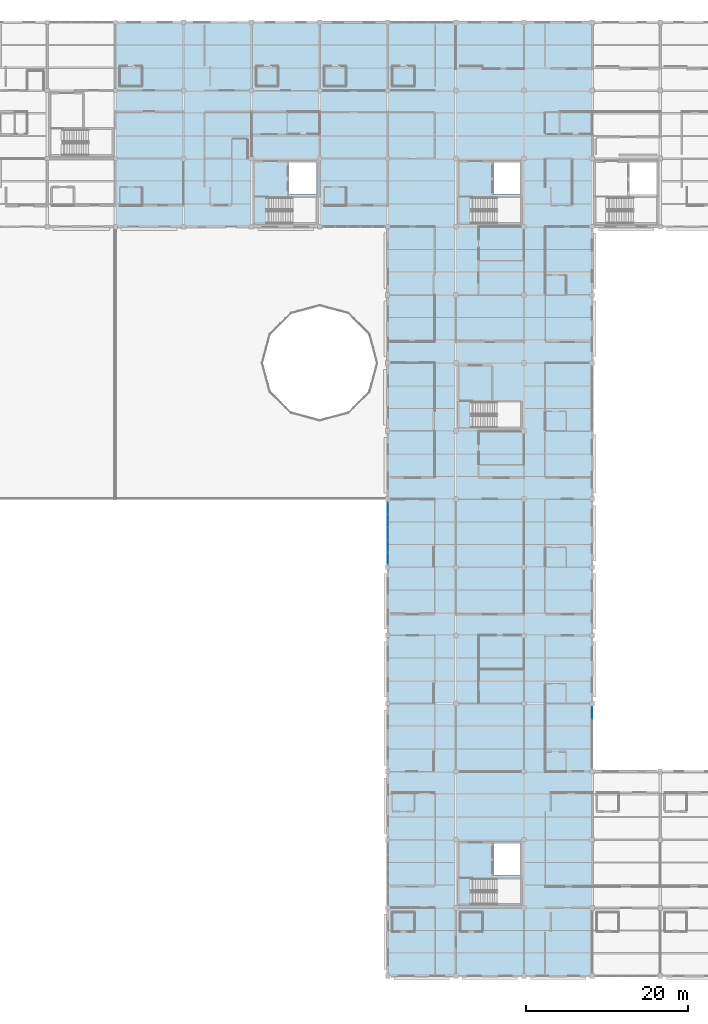
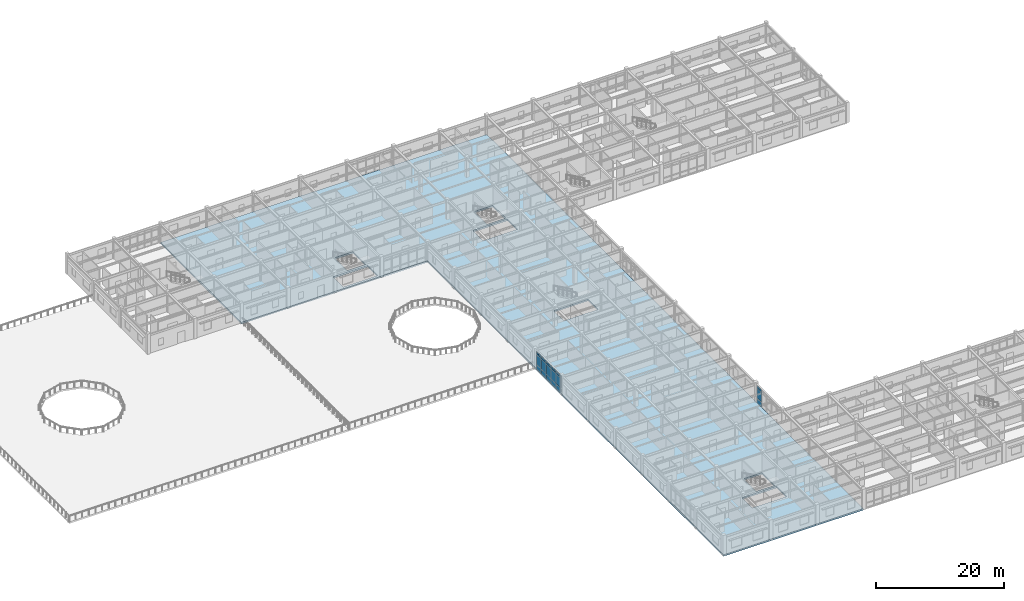
# One storey, part 45 of 86: 18 plates, 1 slab, 2 elements without a shape of their own.
"""IFC4 building model written with IfcOpenShell, lengths in metres."""

from ifc_helpers import new_model, si_unit, direction, frame, origin, origin_2d, place, context, subcontext, project, spatial, polyline, rectangle, outline, extrude, material, layer, layer_set, type_object, element, aggregate, save


model = new_model("IFC4")

# Units and contexts
model_context = context("Model", 3, precision=1e-05, world=origin(), true_north=direction((0.0, 1.0)))
body_context = subcontext(model_context, "Body", "Model", "MODEL_VIEW")
ifc_project = project(units=[si_unit("LENGTHUNIT", "METRE"), si_unit("AREAUNIT", "SQUARE_METRE"), si_unit("VOLUMEUNIT", "CUBIC_METRE"), si_unit("PLANEANGLEUNIT", "RADIAN"), si_unit("MASSUNIT", "GRAM", prefix="KILO")], contexts=[model_context])

# Site, building, storey
site_placement = place(None, origin())
site = spatial("IfcSite", under=ifc_project, at=site_placement, CompositionType="ELEMENT")
building_placement = place(site_placement, origin())
building = spatial("IfcBuilding", under=site, at=building_placement, Name="Bramfleet General Hospital", CompositionType="ELEMENT")
storey_placement = place(building_placement, frame((0.0, 0.0, 18.60009765625)))
storey = spatial("IfcBuildingStorey", under=building, at=storey_placement, Name="L04", CompositionType="ELEMENT", Elevation=18.60009765625)

# Curtain wall, plates
ifc_material_1 = material(Name="Anodised aluminium and low-E triple glazing", Category="aluminium")
ifc_layer_1 = layer(ifc_material_1, 0.179931640625, Name="CWT-CW-13")
ifc_layer_set_1 = layer_set([ifc_layer_1], Name="Anodised aluminium and low-E triple glazing")
curtain_wall_type_1 = type_object("IfcCurtainWallType", Name="CWT-CW-13", PredefinedType="USERDEFINED", material=ifc_layer_set_1)
curtain_wall_1_placement = place(storey_placement, origin())
curtain_wall_1 = element("IfcCurtainWall", 1, at=curtain_wall_1_placement, inside=storey, type_object=curtain_wall_type_1, Name="L04 Curtain Wall 193", ObjectType="Stick curtain wall", PredefinedType="USERDEFINED")
ifc_material_2 = material(Name="Low-E laminated safety glass", Category="glass")
ifc_layer_2 = layer(ifc_material_2, 0.028076171875, Name="CWP-GLZ-1")
ifc_layer_set_2 = layer_set([ifc_layer_2], Name="Low-E laminated safety glass")
plate_type_1 = type_object("IfcPlateType", Name="CWP-GLZ-1", PredefinedType="CURTAIN_PANEL", material=ifc_layer_set_2)
plate_1_placement = place(storey_placement, frame((117.60009765625, 32.4423828125, 0.06494140625), z_axis=(0.0, 0.0, 1.0), x_axis=(0.0, -1.0, 0.0)))
plate_1 = element("IfcPlate", 2, at=plate_1_placement, type_object=plate_type_1, Name="CW-13 panel 1.1", PredefinedType="CURTAIN_PANEL", context=body_context, shape_type="SweptSolid", body=[
    extrude(rectangle(XDim=1.425048828125, YDim=0.028076171875, at=origin_2d()), origin(), (0.0, 0.0, 1.0), 0.802490234375),
])
plate_2_placement = place(storey_placement, frame((117.60009765625, 32.4423828125, 0.9326171875), z_axis=(0.0, 0.0, 1.0), x_axis=(0.0, -1.0, 0.0)))
plate_2 = element("IfcPlate", 3, at=plate_2_placement, type_object=plate_type_1, Name="CW-13 panel 1.2", PredefinedType="CURTAIN_PANEL", context=body_context, shape_type="SweptSolid", body=[
    extrude(rectangle(XDim=1.425048828125, YDim=0.028076171875, at=origin_2d()), origin(), (0.0, 0.0, 1.0), 1.864990234375),
])
plate_3_placement = place(storey_placement, frame((117.60009765625, 32.4423828125, 2.8623046875), z_axis=(0.0, 0.0, 1.0), x_axis=(0.0, -1.0, 0.0)))
plate_3 = element("IfcPlate", 4, at=plate_3_placement, type_object=plate_type_1, Name="CW-13 panel 1.3", PredefinedType="CURTAIN_PANEL", context=body_context, shape_type="SweptSolid", body=[
    extrude(rectangle(XDim=1.425048828125, YDim=0.028076171875, at=origin_2d()), origin(), (0.0, 0.0, 1.0), 0.452392578125),
])
aggregate(curtain_wall_1, [plate_1, plate_2, plate_3])

ifc_layer_3 = layer(ifc_material_1, 0.179931640625, Name="CWT-CW-18")
ifc_layer_set_3 = layer_set([ifc_layer_3], Name="Anodised aluminium and low-E triple glazing")
curtain_wall_type_2 = type_object("IfcCurtainWallType", Name="CWT-CW-18", PredefinedType="USERDEFINED", material=ifc_layer_set_3)
curtain_wall_2_placement = place(storey_placement, origin())
curtain_wall_2 = element("IfcCurtainWall", 5, at=curtain_wall_2_placement, inside=storey, type_object=curtain_wall_type_2, Name="L04 Curtain Wall 198", ObjectType="Stick curtain wall", PredefinedType="USERDEFINED")
ifc_layer_4 = layer(ifc_material_2, 0.031982421875, Name="CWP-GLZ-2")
ifc_layer_set_4 = layer_set([ifc_layer_4], Name="Low-E laminated safety glass")
plate_type_2 = type_object("IfcPlateType", Name="CWP-GLZ-2", PredefinedType="CURTAIN_PANEL", material=ifc_layer_set_4)
plate_4_placement = place(storey_placement, frame((92.39990234375, 51.5576171875, 0.06494140625), z_axis=(0.0, 0.0, 1.0), x_axis=(0.0, 1.0, 0.0)))
plate_4 = element("IfcPlate", 6, at=plate_4_placement, type_object=plate_type_2, Name="CW-18 panel 1.1", PredefinedType="CURTAIN_PANEL", context=body_context, shape_type="SweptSolid", body=[
    extrude(rectangle(XDim=1.425048828125, YDim=0.031982421875, at=origin_2d()), origin(), (0.0, 0.0, 1.0), 0.802490234375),
])
plate_5_placement = place(storey_placement, frame((92.39990234375, 51.5576171875, 0.9326171875), z_axis=(0.0, 0.0, 1.0), x_axis=(0.0, 1.0, 0.0)))
plate_5 = element("IfcPlate", 7, at=plate_5_placement, type_object=plate_type_2, Name="CW-18 panel 1.2", PredefinedType="CURTAIN_PANEL", context=body_context, shape_type="SweptSolid", body=[
    extrude(rectangle(XDim=1.425048828125, YDim=0.031982421875, at=origin_2d()), origin(), (0.0, 0.0, 1.0), 1.864990234375),
])
plate_6_placement = place(storey_placement, frame((92.39990234375, 51.5576171875, 2.8623046875), z_axis=(0.0, 0.0, 1.0), x_axis=(0.0, 1.0, 0.0)))
plate_6 = element("IfcPlate", 8, at=plate_6_placement, type_object=plate_type_2, Name="CW-18 panel 1.3", PredefinedType="CURTAIN_PANEL", context=body_context, shape_type="SweptSolid", body=[
    extrude(rectangle(XDim=1.425048828125, YDim=0.031982421875, at=origin_2d()), origin(), (0.0, 0.0, 1.0), 0.452392578125),
])
plate_7_placement = place(storey_placement, frame((92.39990234375, 53.070068359375, 0.06494140625), z_axis=(0.0, 0.0, 1.0), x_axis=(0.0, 1.0, 0.0)))
plate_7 = element("IfcPlate", 9, at=plate_7_placement, type_object=plate_type_2, Name="CW-18 panel 2.1", PredefinedType="CURTAIN_PANEL", context=body_context, shape_type="SweptSolid", body=[
    extrude(rectangle(XDim=1.4599609375, YDim=0.031982421875, at=origin_2d()), origin(), (0.0, 0.0, 1.0), 0.802490234375),
])
plate_8_placement = place(storey_placement, frame((92.39990234375, 53.070068359375, 0.9326171875), z_axis=(0.0, 0.0, 1.0), x_axis=(0.0, 1.0, 0.0)))
plate_8 = element("IfcPlate", 10, at=plate_8_placement, type_object=plate_type_2, Name="CW-18 panel 2.2", PredefinedType="CURTAIN_PANEL", context=body_context, shape_type="SweptSolid", body=[
    extrude(rectangle(XDim=1.4599609375, YDim=0.031982421875, at=origin_2d()), origin(), (0.0, 0.0, 1.0), 1.864990234375),
])
plate_9_placement = place(storey_placement, frame((92.39990234375, 53.070068359375, 2.8623046875), z_axis=(0.0, 0.0, 1.0), x_axis=(0.0, 1.0, 0.0)))
plate_9 = element("IfcPlate", 11, at=plate_9_placement, type_object=plate_type_2, Name="CW-18 panel 2.3", PredefinedType="CURTAIN_PANEL", context=body_context, shape_type="SweptSolid", body=[
    extrude(rectangle(XDim=1.4599609375, YDim=0.031982421875, at=origin_2d()), origin(), (0.0, 0.0, 1.0), 0.452392578125),
])
plate_10_placement = place(storey_placement, frame((92.39990234375, 54.60009765625, 0.06494140625), z_axis=(0.0, 0.0, 1.0), x_axis=(0.0, 1.0, 0.0)))
plate_10 = element("IfcPlate", 12, at=plate_10_placement, type_object=plate_type_2, Name="CW-18 panel 3.1", PredefinedType="CURTAIN_PANEL", context=body_context, shape_type="SweptSolid", body=[
    extrude(rectangle(XDim=1.4599609375, YDim=0.031982421875, at=origin_2d()), origin(), (0.0, 0.0, 1.0), 0.802490234375),
])
plate_11_placement = place(storey_placement, frame((92.39990234375, 54.60009765625, 0.9326171875), z_axis=(0.0, 0.0, 1.0), x_axis=(0.0, 1.0, 0.0)))
plate_11 = element("IfcPlate", 13, at=plate_11_placement, type_object=plate_type_2, Name="CW-18 panel 3.2", PredefinedType="CURTAIN_PANEL", context=body_context, shape_type="SweptSolid", body=[
    extrude(rectangle(XDim=1.4599609375, YDim=0.031982421875, at=origin_2d()), origin(), (0.0, 0.0, 1.0), 1.864990234375),
])
plate_12_placement = place(storey_placement, frame((92.39990234375, 54.60009765625, 2.8623046875), z_axis=(0.0, 0.0, 1.0), x_axis=(0.0, 1.0, 0.0)))
plate_12 = element("IfcPlate", 14, at=plate_12_placement, type_object=plate_type_2, Name="CW-18 panel 3.3", PredefinedType="CURTAIN_PANEL", context=body_context, shape_type="SweptSolid", body=[
    extrude(rectangle(XDim=1.4599609375, YDim=0.031982421875, at=origin_2d()), origin(), (0.0, 0.0, 1.0), 0.452392578125),
])
plate_13_placement = place(storey_placement, frame((92.39990234375, 56.1298828125, 0.06494140625), z_axis=(0.0, 0.0, 1.0), x_axis=(0.0, 1.0, 0.0)))
plate_13 = element("IfcPlate", 15, at=plate_13_placement, type_object=plate_type_2, Name="CW-18 panel 4.1", PredefinedType="CURTAIN_PANEL", context=body_context, shape_type="SweptSolid", body=[
    extrude(rectangle(XDim=1.4599609375, YDim=0.031982421875, at=origin_2d()), origin(), (0.0, 0.0, 1.0), 0.802490234375),
])
plate_14_placement = place(storey_placement, frame((92.39990234375, 56.1298828125, 0.9326171875), z_axis=(0.0, 0.0, 1.0), x_axis=(0.0, 1.0, 0.0)))
plate_14 = element("IfcPlate", 16, at=plate_14_placement, type_object=plate_type_2, Name="CW-18 panel 4.2", PredefinedType="CURTAIN_PANEL", context=body_context, shape_type="SweptSolid", body=[
    extrude(rectangle(XDim=1.4599609375, YDim=0.031982421875, at=origin_2d()), origin(), (0.0, 0.0, 1.0), 1.864990234375),
])
plate_15_placement = place(storey_placement, frame((92.39990234375, 56.1298828125, 2.8623046875), z_axis=(0.0, 0.0, 1.0), x_axis=(0.0, 1.0, 0.0)))
plate_15 = element("IfcPlate", 17, at=plate_15_placement, type_object=plate_type_2, Name="CW-18 panel 4.3", PredefinedType="CURTAIN_PANEL", context=body_context, shape_type="SweptSolid", body=[
    extrude(rectangle(XDim=1.4599609375, YDim=0.031982421875, at=origin_2d()), origin(), (0.0, 0.0, 1.0), 0.452392578125),
])
plate_16_placement = place(storey_placement, frame((92.39990234375, 57.642578125, 0.06494140625), z_axis=(0.0, 0.0, 1.0), x_axis=(0.0, 1.0, 0.0)))
plate_16 = element("IfcPlate", 18, at=plate_16_placement, type_object=plate_type_2, Name="CW-18 panel 5.1", PredefinedType="CURTAIN_PANEL", context=body_context, shape_type="SweptSolid", body=[
    extrude(rectangle(XDim=1.425048828125, YDim=0.031982421875, at=origin_2d()), origin(), (0.0, 0.0, 1.0), 0.802490234375),
])
plate_17_placement = place(storey_placement, frame((92.39990234375, 57.642578125, 0.9326171875), z_axis=(0.0, 0.0, 1.0), x_axis=(0.0, 1.0, 0.0)))
plate_17 = element("IfcPlate", 19, at=plate_17_placement, type_object=plate_type_2, Name="CW-18 panel 5.2", PredefinedType="CURTAIN_PANEL", context=body_context, shape_type="SweptSolid", body=[
    extrude(rectangle(XDim=1.425048828125, YDim=0.031982421875, at=origin_2d()), origin(), (0.0, 0.0, 1.0), 1.864990234375),
])
plate_18_placement = place(storey_placement, frame((92.39990234375, 57.642578125, 2.8623046875), z_axis=(0.0, 0.0, 1.0), x_axis=(0.0, 1.0, 0.0)))
plate_18 = element("IfcPlate", 20, at=plate_18_placement, type_object=plate_type_2, Name="CW-18 panel 5.3", PredefinedType="CURTAIN_PANEL", context=body_context, shape_type="SweptSolid", body=[
    extrude(rectangle(XDim=1.425048828125, YDim=0.031982421875, at=origin_2d()), origin(), (0.0, 0.0, 1.0), 0.452392578125),
])
aggregate(curtain_wall_2, [plate_4, plate_5, plate_6, plate_7, plate_8, plate_9, plate_10, plate_11, plate_12, plate_13, plate_14, plate_15, plate_16, plate_17, plate_18])

# Slab
ifc_material_3 = material(Name="Concrete C35/45", Category="concrete")
ifc_layer_5 = layer(ifc_material_3, 0.300048828125, Name="SL-FLR-300")
ifc_layer_set_5 = layer_set([ifc_layer_5], Name="Concrete C35/45")
slab_type = type_object("IfcSlabType", Name="SL-FLR-300", PredefinedType="FLOOR", material=ifc_layer_set_5)
slab_placement = place(storey_placement, frame((0.0, 0.0, -0.300048828125)))
element("IfcSlab", 21, at=slab_placement, inside=storey, type_object=slab_type, Name="L04 Structural Floor Slab (CENTRE)", PredefinedType="FLOOR", context=body_context, shape_type="SweptSolid", body=[
    extrude(outline(polyline([(75.60009765625, 92.39990234375), (67.199951171875, 92.39990234375), (58.800048828125, 92.39990234375), (58.800048828125, 117.60009765625), (67.199951171875, 117.60009765625), (75.60009765625, 117.60009765625), (84.0, 117.60009765625), (92.39990234375, 117.60009765625), (100.800048828125, 117.60009765625), (109.199951171875, 117.60009765625), (117.60009765625, 117.60009765625), (117.60009765625, 92.39990234375), (117.60009765625, 84.0), (117.60009765625, 75.60009765625), (117.60009765625, 67.199951171875), (117.60009765625, 58.800048828125), (117.60009765625, 50.39990234375), (117.60009765625, 42.0), (117.60009765625, 33.60009765625), (117.60009765625, 25.199951171875), (117.60009765625, 0.0), (109.199951171875, 0.0), (100.800048828125, 0.0), (92.39990234375, 0.0), (92.39990234375, 8.39990234375), (92.39990234375, 16.800048828125), (92.39990234375, 25.199951171875), (92.39990234375, 33.60009765625), (92.39990234375, 42.0), (92.39990234375, 50.39990234375), (92.39990234375, 58.800048828125), (92.39990234375, 67.199951171875), (92.39990234375, 75.60009765625), (92.39990234375, 84.0), (92.39990234375, 92.39990234375), (84.0, 92.39990234375), (75.60009765625, 92.39990234375)]), holes=[polyline([(102.639892578125, 8.820068359375), (108.860107421875, 8.820068359375), (108.860107421875, 11.97998046875), (102.639892578125, 11.97998046875), (102.639892578125, 8.820068359375)]), polyline([(105.419921875, 12.39990234375), (108.75, 12.39990234375), (108.75, 16.35009765625), (105.419921875, 16.35009765625), (105.419921875, 12.39990234375)]), polyline([(102.639892578125, 92.820068359375), (108.860107421875, 92.820068359375), (108.860107421875, 95.97998046875), (102.639892578125, 95.97998046875), (102.639892578125, 92.820068359375)]), polyline([(105.419921875, 96.39990234375), (108.75, 96.39990234375), (108.75, 100.35009765625), (105.419921875, 100.35009765625), (105.419921875, 96.39990234375)]), polyline([(77.43994140625, 92.820068359375), (83.659912109375, 92.820068359375), (83.659912109375, 95.97998046875), (77.43994140625, 95.97998046875), (77.43994140625, 92.820068359375)]), polyline([(80.219970703125, 96.39990234375), (83.550048828125, 96.39990234375), (83.550048828125, 100.35009765625), (80.219970703125, 100.35009765625), (80.219970703125, 96.39990234375)]), polyline([(102.639892578125, 67.6201171875), (108.860107421875, 67.6201171875), (108.860107421875, 70.780029296875), (102.639892578125, 70.780029296875), (102.639892578125, 67.6201171875)])]), origin(), (0.0, 0.0, 1.0), 0.300048828125),
])

save(model, "model.ifc")
